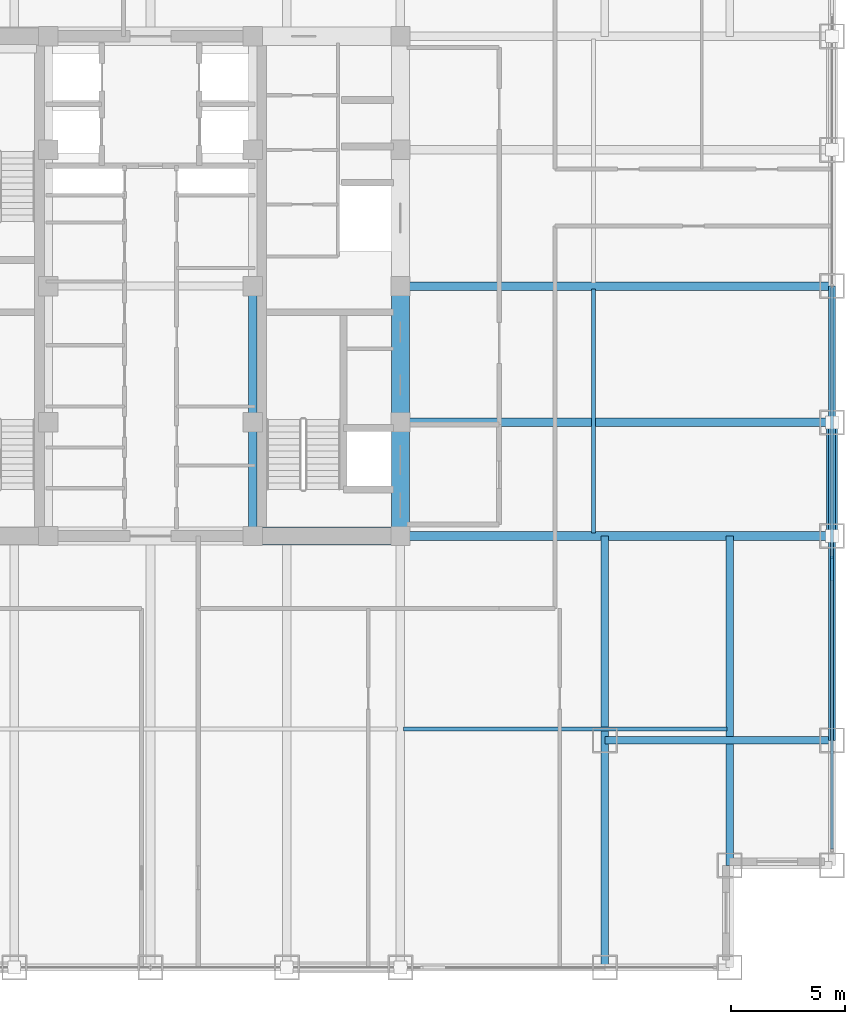
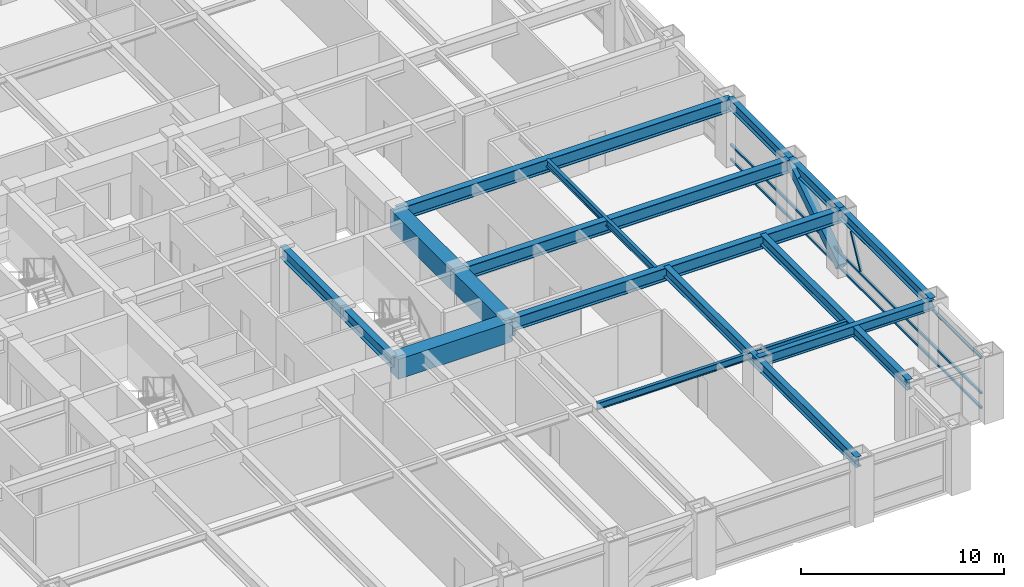
# One storey, part 9 of 25: 16 beams, 5 members, 1 element without a shape of its own.
"""IFC4 building model written with IfcOpenShell, lengths in metres."""

from ifc_helpers import new_model, si_unit, direction, frame, origin, origin_2d, place, context, subcontext, project, spatial, rectangle, hollow_rectangle, i_section, extrude, source, transform, mapped, material, material_profile, profile_set, type_object, element, aggregate, save


model = new_model("IFC4")

# Units and contexts
model_context = context("Model", 3, precision=1e-05, world=origin(), true_north=direction((0.0, 1.0)))
body_context = subcontext(model_context, "Body", "Model", "MODEL_VIEW")
ifc_project = project(units=[si_unit("LENGTHUNIT", "METRE"), si_unit("AREAUNIT", "SQUARE_METRE"), si_unit("VOLUMEUNIT", "CUBIC_METRE"), si_unit("PLANEANGLEUNIT", "RADIAN"), si_unit("MASSUNIT", "GRAM", prefix="KILO")], contexts=[model_context])

# Site, building, storey
site_placement = place(None, origin())
site = spatial("IfcSite", under=ifc_project, at=site_placement, CompositionType="ELEMENT")
building_placement = place(site_placement, origin())
building = spatial("IfcBuilding", under=site, at=building_placement, Name="Khorayat Bourse Tower", CompositionType="ELEMENT")
storey_placement = place(building_placement, frame((0.0, 0.0, 195.10009765625)))
storey = spatial("IfcBuildingStorey", under=building, at=storey_placement, Name="L45", CompositionType="ELEMENT", Elevation=195.10009765625)

# Beams
ifc_material_1 = material(Name="Concrete C72/90", Category="concrete")
ifc_material_profile_1 = material_profile(ifc_material_1, rectangle(XDim=0.800048828125, YDim=1.199951171875, at=origin_2d()), Name="RC 800x1200")
ifc_profile_set_1 = profile_set([ifc_material_profile_1], Name="Concrete C72/90")
beam_type_1 = type_object("IfcBeamType", Name="BM-COUP-1200", PredefinedType="BEAM", material=ifc_profile_set_1)
shared_shape_1 = source(origin(), body_context, "Body", "SweptSolid", [
    extrude(rectangle(XDim=0.800048828125, YDim=1.199951171875, at=origin_2d()), origin(), (0.0, 0.0, 1.0), 5.0),
])
beam_1_placement = place(storey_placement, frame((11.0, -11.0, 3.179931640625), z_axis=(0.0, 1.0, 0.0), x_axis=(-1.0, 0.0, 0.0)))
element("IfcBeam", 1, at=beam_1_placement, inside=storey, type_object=beam_type_1, Name="L45 BM-COUP-1200 BM-L45-CRX-13", PredefinedType="BEAM", context=body_context, shape_type="MappedRepresentation", body=[
    mapped(shared_shape_1, transform((0.0, 0.0, 0.0), scale=1.0)),
])
shared_shape_2 = source(origin(), body_context, "Body", "SweptSolid", [
    extrude(rectangle(XDim=0.800048828125, YDim=1.199951171875, at=origin_2d()), origin(), (0.0, 0.0, 1.0), 6.0),
])
beam_2_placement = place(storey_placement, frame((11.0, -6.0, 3.179931640625), z_axis=(0.0, 1.0, 0.0), x_axis=(-1.0, 0.0, 0.0)))
element("IfcBeam", 2, at=beam_2_placement, inside=storey, type_object=beam_type_1, Name="L45 BM-COUP-1200 BM-L45-CRX-14", PredefinedType="BEAM", context=body_context, shape_type="MappedRepresentation", body=[
    mapped(shared_shape_2, transform((0.0, 0.0, 0.0), scale=1.0)),
])
ifc_material_2 = material(Name="Steel ASTM A992 Grade 50", Category="steel")
ifc_material_profile_2 = material_profile(ifc_material_2, i_section(OverallWidth=0.35498046875, OverallDepth=0.695068359375, WebThickness=0.015380859375, FlangeThickness=0.02490234375, FilletRadius=0.01806640625, at=origin_2d()), Name="W690X217")
ifc_profile_set_2 = profile_set([ifc_material_profile_2], Name="Steel ASTM A992 Grade 50")
beam_type_2 = type_object("IfcBeamType", Name="BM-GIRD-690", PredefinedType="BEAM", material=ifc_profile_set_2)
shared_shape_3 = source(origin(), body_context, "Body", "SweptSolid", [
    extrude(i_section(OverallWidth=0.35498046875, OverallDepth=0.695068359375, WebThickness=0.015380859375, FlangeThickness=0.02490234375, FilletRadius=0.01806640625, at=origin_2d()), origin(), (0.0, 0.0, 1.0), 5.0),
])
beam_3_placement = place(storey_placement, frame((4.5, -11.0, 3.432373046875), z_axis=(0.0, 1.0, 0.0), x_axis=(-1.0, 0.0, 0.0)))
element("IfcBeam", 3, at=beam_3_placement, inside=storey, type_object=beam_type_2, Name="L45 BM-GIRD-690 BM-L45-CRX-09", PredefinedType="BEAM", context=body_context, shape_type="MappedRepresentation", body=[
    mapped(shared_shape_3, transform((0.0, 0.0, 0.0), scale=1.0)),
])
shared_shape_4 = source(origin(), body_context, "Body", "SweptSolid", [
    extrude(i_section(OverallWidth=0.35498046875, OverallDepth=0.695068359375, WebThickness=0.015380859375, FlangeThickness=0.02490234375, FilletRadius=0.01806640625, at=origin_2d()), origin(), (0.0, 0.0, 1.0), 6.0),
])
beam_4_placement = place(storey_placement, frame((4.5, -6.0, 3.432373046875), z_axis=(0.0, 1.0, 0.0), x_axis=(-1.0, 0.0, 0.0)))
element("IfcBeam", 4, at=beam_4_placement, inside=storey, type_object=beam_type_2, Name="L45 BM-GIRD-690 BM-L45-CRX-10", PredefinedType="BEAM", context=body_context, shape_type="MappedRepresentation", body=[
    mapped(shared_shape_4, transform((0.0, 0.0, 0.0), scale=1.0)),
])
shared_shape_5 = source(origin(), body_context, "Body", "SweptSolid", [
    extrude(rectangle(XDim=0.800048828125, YDim=1.199951171875, at=origin_2d()), origin(), (0.0, 0.0, 1.0), 6.5),
])
beam_5_placement = place(storey_placement, frame((4.5, -11.0, 3.179931640625), z_axis=(1.0, 0.0, 0.0), x_axis=(0.0, 1.0, 0.0)))
element("IfcBeam", 5, at=beam_5_placement, inside=storey, type_object=beam_type_1, Name="L45 BM-COUP-1200 BM-L45-CRY-19", PredefinedType="BEAM", context=body_context, shape_type="MappedRepresentation", body=[
    mapped(shared_shape_5, transform((0.0, 0.0, 0.0), scale=1.0)),
])
ifc_material_profile_3 = material_profile(ifc_material_2, i_section(OverallWidth=0.381103515625, OverallDepth=0.77294921875, WebThickness=0.0166015625, FlangeThickness=0.027587890625, FilletRadius=0.01806640625, at=origin_2d()), Name="W760X257")
ifc_profile_set_3 = profile_set([ifc_material_profile_3], Name="Steel ASTM A992 Grade 50")
beam_type_3 = type_object("IfcBeamType", Name="BM-GIRD-760", PredefinedType="BEAM", material=ifc_profile_set_3)
shared_shape_6 = source(origin(), body_context, "Body", "SweptSolid", [
    extrude(i_section(OverallWidth=0.381103515625, OverallDepth=0.77294921875, WebThickness=0.0166015625, FlangeThickness=0.027587890625, FilletRadius=0.01806640625, at=origin_2d()), origin(), (0.0, 0.0, 1.0), 19.0),
])
for number, where, z_axis, x_axis, name in (
    (6, (11.0, -11.0, 3.393310546875), (1.0, 0.0, 0.0), (0.0, 1.0, 0.0), "L45 BM-GIRD-760 BM-L45-RADX-074"),
    (7, (11.0, -6.0, 3.393310546875), (1.0, 0.0, 0.0), (0.0, 1.0, 0.0), "L45 BM-GIRD-760 BM-L45-RADX-076"),
    (8, (11.0, 0.0, 3.393310546875), (1.0, 0.0, 0.0), (0.0, 1.0, 0.0), "L45 BM-GIRD-760 BM-L45-RADX-078"),
):
    element("IfcBeam", number, at=place(storey_placement, frame(where, z_axis=z_axis, x_axis=x_axis)), inside=storey, type_object=beam_type_3, Name=name, PredefinedType="BEAM", context=body_context, shape_type="MappedRepresentation", body=[
        mapped(shared_shape_6, transform((0.0, 0.0, 0.0), scale=1.0)),
    ])
ifc_material_profile_4 = material_profile(ifc_material_2, i_section(OverallWidth=0.324951171875, OverallDepth=0.615966796875, WebThickness=0.013916015625, FlangeThickness=0.021484375, FilletRadius=0.01611328125, at=origin_2d()), Name="W610X174")
ifc_profile_set_4 = profile_set([ifc_material_profile_4], Name="Steel ASTM A992 Grade 50")
beam_type_4 = type_object("IfcBeamType", Name="BM-GIRD-610", PredefinedType="BEAM", material=ifc_profile_set_4)
shared_shape_7 = source(origin(), body_context, "Body", "SweptSolid", [
    extrude(i_section(OverallWidth=0.324951171875, OverallDepth=0.615966796875, WebThickness=0.013916015625, FlangeThickness=0.021484375, FilletRadius=0.01611328125, at=origin_2d()), origin(), (0.0, 0.0, 1.0), 19.0),
])
beam_6_placement = place(storey_placement, frame((20.0, -30.0, 3.471923828125), z_axis=(0.0, 1.0, 0.0), x_axis=(-1.0, 0.0, 0.0)))
element("IfcBeam", 9, at=beam_6_placement, inside=storey, type_object=beam_type_4, Name="L45 BM-GIRD-610 BM-L45-CNRY-086", PredefinedType="BEAM", context=body_context, shape_type="MappedRepresentation", body=[
    mapped(shared_shape_7, transform((0.0, 0.0, 0.0), scale=1.0)),
])
shared_shape_8 = source(origin(), body_context, "Body", "SweptSolid", [
    extrude(i_section(OverallWidth=0.324951171875, OverallDepth=0.615966796875, WebThickness=0.013916015625, FlangeThickness=0.021484375, FilletRadius=0.01611328125, at=origin_2d()), origin(), (0.0, 0.0, 1.0), 14.5),
])
beam_7_placement = place(storey_placement, frame((25.5, -25.5, 3.471923828125), z_axis=(0.0, 1.0, 0.0), x_axis=(-1.0, 0.0, 0.0)))
element("IfcBeam", 10, at=beam_7_placement, inside=storey, type_object=beam_type_4, Name="L45 BM-GIRD-610 BM-L45-CNRY-090", PredefinedType="BEAM", context=body_context, shape_type="MappedRepresentation", body=[
    mapped(shared_shape_8, transform((0.0, 0.0, 0.0), scale=1.0)),
])
shared_shape_9 = source(origin(), body_context, "Body", "SweptSolid", [
    extrude(i_section(OverallWidth=0.324951171875, OverallDepth=0.615966796875, WebThickness=0.013916015625, FlangeThickness=0.021484375, FilletRadius=0.01611328125, at=origin_2d()), origin(), (0.0, 0.0, 1.0), 10.0),
])
beam_8_placement = place(storey_placement, frame((20.0, -20.0, 3.471923828125), z_axis=(1.0, 0.0, 0.0), x_axis=(0.0, 1.0, 0.0)))
element("IfcBeam", 11, at=beam_8_placement, inside=storey, type_object=beam_type_4, Name="L45 BM-GIRD-610 BM-L45-CNRX-092", PredefinedType="BEAM", context=body_context, shape_type="MappedRepresentation", body=[
    mapped(shared_shape_9, transform((0.0, 0.0, 0.0), scale=1.0)),
])
ifc_material_profile_5 = material_profile(ifc_material_2, i_section(OverallWidth=0.180908203125, OverallDepth=0.4169921875, WebThickness=0.010986328125, FlangeThickness=0.018310546875, FilletRadius=0.011962890625, at=origin_2d()), Name="W410X85")
ifc_profile_set_5 = profile_set([ifc_material_profile_5], Name="Steel ASTM A992 Grade 50")
beam_type_5 = type_object("IfcBeamType", Name="BM-JOIST-410", PredefinedType="JOIST", material=ifc_profile_set_5)
shared_shape_10 = source(origin(), body_context, "Body", "SweptSolid", [
    extrude(i_section(OverallWidth=0.180908203125, OverallDepth=0.4169921875, WebThickness=0.010986328125, FlangeThickness=0.018310546875, FilletRadius=0.011962890625, at=origin_2d()), origin(), (0.0, 0.0, 1.0), 14.240234375),
])
beam_9_placement = place(storey_placement, frame((11.1298828125, -19.5, 3.5712890625), z_axis=(1.0, 0.0, 0.0), x_axis=(0.0, 1.0, 0.0)))
element("IfcBeam", 12, at=beam_9_placement, inside=storey, type_object=beam_type_5, Name="L45 BM-JOIST-410 BM-L45-JSTX-098", PredefinedType="JOIST", context=body_context, shape_type="MappedRepresentation", body=[
    mapped(shared_shape_10, transform((0.0, 0.0, 0.0), scale=1.0)),
])
shared_shape_11 = source(origin(), body_context, "Body", "SweptSolid", [
    extrude(i_section(OverallWidth=0.180908203125, OverallDepth=0.4169921875, WebThickness=0.010986328125, FlangeThickness=0.018310546875, FilletRadius=0.011962890625, at=origin_2d()), origin(), (0.0, 0.0, 1.0), 10.740234375),
])
beam_10_placement = place(storey_placement, frame((19.5, -10.8701171875, 3.5712890625), z_axis=(0.0, 1.0, 0.0), x_axis=(-1.0, 0.0, 0.0)))
element("IfcBeam", 13, at=beam_10_placement, inside=storey, type_object=beam_type_5, Name="L45 BM-JOIST-410 BM-L45-JSTY-104", PredefinedType="JOIST", context=body_context, shape_type="MappedRepresentation", body=[
    mapped(shared_shape_11, transform((0.0, 0.0, 0.0), scale=1.0)),
])
ifc_material_profile_6 = material_profile(ifc_material_2, i_section(OverallWidth=0.324951171875, OverallDepth=0.615966796875, WebThickness=0.013916015625, FlangeThickness=0.021484375, FilletRadius=0.01611328125, at=origin_2d()), Name="W610X174")
ifc_profile_set_6 = profile_set([ifc_material_profile_6], Name="Steel ASTM A992 Grade 50")
beam_type_6 = type_object("IfcBeamType", Name="BM-SPAN-610", PredefinedType="SPANDREL", material=ifc_profile_set_6)
shared_shape_12 = source(origin(), body_context, "Body", "SweptSolid", [
    extrude(i_section(OverallWidth=0.324951171875, OverallDepth=0.615966796875, WebThickness=0.013916015625, FlangeThickness=0.021484375, FilletRadius=0.01611328125, at=origin_2d()), origin(), (0.0, 0.0, 1.0), 9.0),
])
beam_11_placement = place(storey_placement, frame((30.0, -20.0, 3.471923828125), z_axis=(0.0, 1.0, 0.0), x_axis=(-1.0, 0.0, 0.0)))
element("IfcBeam", 14, at=beam_11_placement, inside=storey, type_object=beam_type_6, Name="L45 BM-SPAN-610 BM-L45-SPN-035", PredefinedType="SPANDREL", context=body_context, shape_type="MappedRepresentation", body=[
    mapped(shared_shape_12, transform((0.0, 0.0, 0.0), scale=1.0)),
])
shared_shape_13 = source(origin(), body_context, "Body", "SweptSolid", [
    extrude(i_section(OverallWidth=0.324951171875, OverallDepth=0.615966796875, WebThickness=0.013916015625, FlangeThickness=0.021484375, FilletRadius=0.01611328125, at=origin_2d()), origin(), (0.0, 0.0, 1.0), 5.0),
])
beam_12_placement = place(storey_placement, frame((30.0, -11.0, 3.471923828125), z_axis=(0.0, 1.0, 0.0), x_axis=(-1.0, 0.0, 0.0)))
element("IfcBeam", 15, at=beam_12_placement, inside=storey, type_object=beam_type_6, Name="L45 BM-SPAN-610 BM-L45-SPN-036", PredefinedType="SPANDREL", context=body_context, shape_type="MappedRepresentation", body=[
    mapped(shared_shape_13, transform((0.0, 0.0, 0.0), scale=1.0)),
])
shared_shape_14 = source(origin(), body_context, "Body", "SweptSolid", [
    extrude(i_section(OverallWidth=0.324951171875, OverallDepth=0.615966796875, WebThickness=0.013916015625, FlangeThickness=0.021484375, FilletRadius=0.01611328125, at=origin_2d()), origin(), (0.0, 0.0, 1.0), 6.0),
])
beam_13_placement = place(storey_placement, frame((30.0, -6.0, 3.471923828125), z_axis=(0.0, 1.0, 0.0), x_axis=(-1.0, 0.0, 0.0)))
element("IfcBeam", 16, at=beam_13_placement, inside=storey, type_object=beam_type_6, Name="L45 BM-SPAN-610 BM-L45-SPN-037", PredefinedType="SPANDREL", context=body_context, shape_type="MappedRepresentation", body=[
    mapped(shared_shape_14, transform((0.0, 0.0, 0.0), scale=1.0)),
])

# Member
ifc_material_3 = material(Name="Steel EN 10025-4 S460M", Category="steel")
ifc_material_profile_7 = material_profile(ifc_material_3, hollow_rectangle(XDim=0.5, YDim=0.5, WallThickness=0.028076171875, at=origin_2d()), Name="HSS 500x500x28")
ifc_profile_set_7 = profile_set([ifc_material_profile_7], Name="Steel EN 10025-4 S460M")
member_type_1 = type_object("IfcMemberType", Name="MBR-TUBE-500", PredefinedType="BRACE", material=ifc_profile_set_7)
shared_shape_15 = source(origin(), body_context, "Body", "SweptSolid", [
    extrude(hollow_rectangle(XDim=0.5, YDim=0.5, WallThickness=0.028076171875, at=origin_2d()), origin(), (0.0, 0.0, 1.0), 5.979736328125),
])
member_1_placement = place(storey_placement, frame((30.0, -11.0, 0.25), z_axis=(0.0, 0.836160261256, 0.548485202623), x_axis=(-1.0, 0.0, 0.0)))
element("IfcMember", 17, at=member_1_placement, inside=storey, type_object=member_type_1, Name="L45 Perimeter Tube Brace 07", PredefinedType="BRACE", context=body_context, shape_type="MappedRepresentation", body=[
    mapped(shared_shape_15, transform((0.0, 0.0, 0.0), scale=1.0)),
])

# Curtain wall, members
ifc_material_4 = material(Name="Aluminium EN AW-6063 T6", Category="aluminium")
curtain_wall_type = type_object("IfcCurtainWallType", Name="CW-SYS-03", PredefinedType="NOTDEFINED", material=ifc_material_4)
curtain_wall_placement = place(storey_placement, origin())
curtain_wall = element("IfcCurtainWall", 18, at=curtain_wall_placement, inside=storey, type_object=curtain_wall_type, Name="L45 Curtain Wall CW-L45-E1", PredefinedType="NOTDEFINED")
ifc_material_profile_8 = material_profile(ifc_material_4, hollow_rectangle(XDim=0.1201171875, YDim=0.1201171875, WallThickness=0.0048828125, at=origin_2d()), Name="ALU 120x120x5")
ifc_profile_set_8 = profile_set([ifc_material_profile_8], Name="Aluminium EN AW-6063 T6")
member_type_2 = type_object("IfcMemberType", Name="CWM-DIAG-120", PredefinedType="MULLION", material=ifc_profile_set_8)
shared_shape_16 = source(origin(), body_context, "Body", "SweptSolid", [
    extrude(hollow_rectangle(XDim=0.1201171875, YDim=0.1201171875, WallThickness=0.0048828125, at=origin_2d()), origin(), (0.0, 0.0, 1.0), 2.079345703125),
])
member_2_placement = place(storey_placement, frame((30.0, -12.904296875, 1.08984375), z_axis=(0.0, 0.465760949701, 0.884910581773), x_axis=(-1.0, 0.0, 0.0)))
member_2 = element("IfcMember", 19, at=member_2_placement, type_object=member_type_2, Name="CW-L45-E1 Faceted Diagonal Mullion 1", PredefinedType="MULLION", context=body_context, shape_type="MappedRepresentation", body=[
    mapped(shared_shape_16, transform((0.0, 0.0, 0.0), scale=1.0)),
])
ifc_material_profile_9 = material_profile(ifc_material_4, hollow_rectangle(XDim=0.1201171875, YDim=0.1201171875, WallThickness=0.0048828125, at=origin_2d()), Name="ALU 120x120x5")
ifc_profile_set_9 = profile_set([ifc_material_profile_9], Name="Aluminium EN AW-6063 T6")
member_type_3 = type_object("IfcMemberType", Name="CWT-HORZ-120", PredefinedType="USERDEFINED", material=ifc_profile_set_9)
shared_shape_17 = source(origin(), body_context, "Body", "SweptSolid", [
    extrude(hollow_rectangle(XDim=0.1201171875, YDim=0.1201171875, WallThickness=0.0048828125, at=origin_2d()), origin(), (0.0, 0.0, 1.0), 24.719970703125),
])
member_3_placement = place(storey_placement, frame((30.0, -24.780029296875, 0.059814453125), z_axis=(0.0, 1.0, 0.0), x_axis=(-1.0, 0.0, 0.0)))
member_3 = element("IfcMember", 20, at=member_3_placement, type_object=member_type_3, Name="CW-L45-E1 Horizontal Transom 1-1", ObjectType="TRANSOM", PredefinedType="USERDEFINED", context=body_context, shape_type="MappedRepresentation", body=[
    mapped(shared_shape_17, transform((0.0, 0.0, 0.0), scale=1.0)),
])
member_4_placement = place(storey_placement, frame((30.0, -24.780029296875, 0.949951171875), z_axis=(0.0, 1.0, 0.0), x_axis=(-1.0, 0.0, 0.0)))
member_4 = element("IfcMember", 21, at=member_4_placement, type_object=member_type_3, Name="CW-L45-E1 Horizontal Transom 1-2", ObjectType="TRANSOM", PredefinedType="USERDEFINED", context=body_context, shape_type="MappedRepresentation", body=[
    mapped(shared_shape_17, transform((0.0, 0.0, 0.0), scale=1.0)),
])
member_5_placement = place(storey_placement, frame((30.0, -24.780029296875, 3.06982421875), z_axis=(0.0, 1.0, 0.0), x_axis=(-1.0, 0.0, 0.0)))
member_5 = element("IfcMember", 22, at=member_5_placement, type_object=member_type_3, Name="CW-L45-E1 Horizontal Transom 1-3", ObjectType="TRANSOM", PredefinedType="USERDEFINED", context=body_context, shape_type="MappedRepresentation", body=[
    mapped(shared_shape_17, transform((0.0, 0.0, 0.0), scale=1.0)),
])
aggregate(curtain_wall, [member_3, member_4, member_5, member_2])

save(model, "model.ifc")
